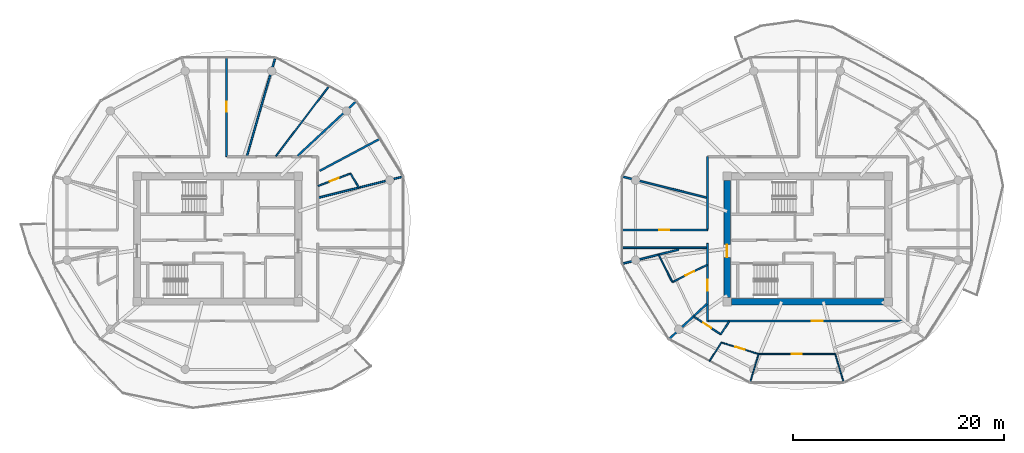
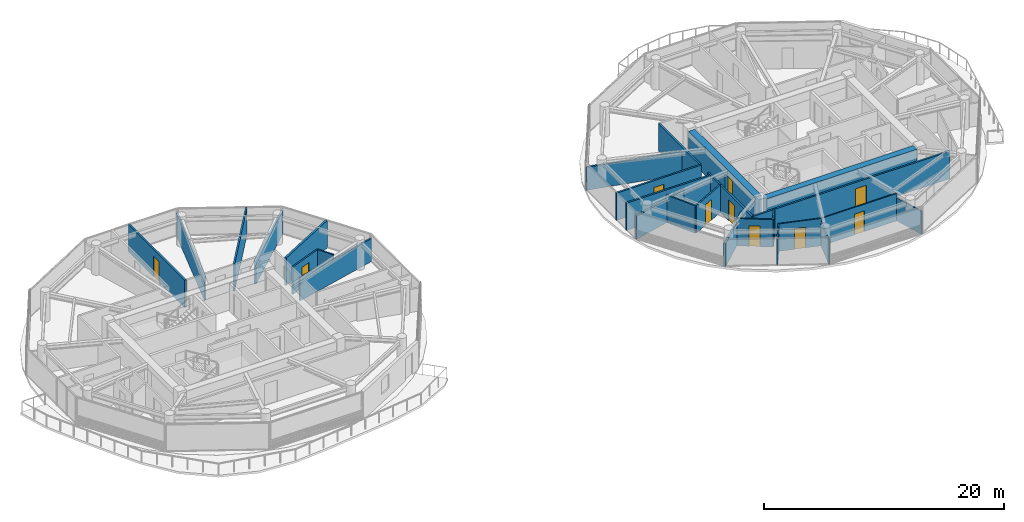
# One storey, part 14 of 23: 27 walls, 10 doors, 10 openings.
"""IFC4 building model written with IfcOpenShell, lengths in metres."""

from ifc_helpers import new_model, si_unit, direction, frame, frame_2d, origin, place, context, subcontext, project, spatial, rectangle, extrude, source, transform, mapped, material, layer, layer_set, type_object, type_shapes, element, fill, save


model = new_model("IFC4")

# Units and contexts
model_context = context("Model", 3, precision=1e-05, world=origin(), true_north=direction((0.0, 1.0)))
body_context = subcontext(model_context, "Body", "Model", "MODEL_VIEW")
ifc_project = project(units=[si_unit("LENGTHUNIT", "METRE"), si_unit("AREAUNIT", "SQUARE_METRE"), si_unit("VOLUMEUNIT", "CUBIC_METRE"), si_unit("PLANEANGLEUNIT", "RADIAN"), si_unit("MASSUNIT", "GRAM", prefix="KILO")], contexts=[model_context])

# Site, building, storey
site_placement = place(None, origin())
site = spatial("IfcSite", under=ifc_project, at=site_placement, CompositionType="ELEMENT")
building_placement = place(site_placement, origin())
building = spatial("IfcBuilding", under=site, at=building_placement, Name="Norrkilde Senior Care Towers", CompositionType="ELEMENT")
storey_placement = place(building_placement, frame((0.0, 0.0, 173.949951171875)))
storey = spatial("IfcBuildingStorey", under=building, at=storey_placement, Name="L54", CompositionType="ELEMENT", Elevation=173.949951171875)

# Wall
ifc_material_1 = material(Name="Concrete C50/60", Category="concrete")
ifc_layer_1 = layer(ifc_material_1, 0.6201171875)
ifc_layer_set_1 = layer_set([ifc_layer_1], Name="Concrete C50/60")
wall_type_1 = type_object("IfcWallType", Name="Core Shear Wall Z3 620", PredefinedType="SHEAR", material=ifc_layer_set_1)
shared_shape_1 = source(origin(), body_context, "Body", "SweptSolid", [
    extrude(rectangle(XDim=14.5, YDim=0.6201171875, at=frame_2d((7.25, 0.0))), origin(), (0.0, 0.0, 1.0), 2.81005859375),
])
wall_1_placement = place(storey_placement, frame((35.25, -5.949951171875, 0.0), z_axis=(0.0, 0.0, 1.0), x_axis=(-1.0, 0.0, 0.0)))
element("IfcWall", 1, at=wall_1_placement, inside=storey, type_object=wall_type_1, Name="L54 Core E South Shear Wall", PredefinedType="SHEAR", context=body_context, shape_type="MappedRepresentation", body=[
    mapped(shared_shape_1, transform((0.0, 0.0, 0.0), x_axis=(1.0, 0.0, 0.0), y_axis=(0.0, 1.0, 0.0), z_axis=(0.0, 0.0, 1.0), scale=1.0)),
])

# Wall, opening, door
shared_shape_2 = source(origin(), body_context, "Body", "SweptSolid", [
    extrude(rectangle(XDim=11.10009765625, YDim=0.6201171875, at=frame_2d((5.550048828125, 0.0))), origin(), (0.0, 0.0, 1.0), 2.81005859375),
])
type_shapes(wall_type_1, [shared_shape_1, shared_shape_2])
wall_2_placement = place(storey_placement, frame((20.35009765625, -5.550048828125, 0.0), z_axis=(0.0, 0.0, 1.0), x_axis=(0.0, 1.0, 0.0)))
wall_2 = element("IfcWall", 2, at=wall_2_placement, inside=storey, type_object=wall_type_1, Name="L54 Core E West Shear Wall", PredefinedType="SHEAR", context=body_context, shape_type="MappedRepresentation", body=[
    mapped(shared_shape_2, transform((0.0, 0.0, 0.0), x_axis=(1.0, 0.0, 0.0), y_axis=(0.0, 1.0, 0.0), z_axis=(0.0, 0.0, 1.0), scale=1.0)),
])
opening_1_placement = place(wall_2_placement, frame((3.800048828125, 0.0, 0.0)))
opening_1 = element("IfcOpeningElement", 3, at=opening_1_placement, cuts=wall_2, Name="Opening D-04", PredefinedType="OPENING", context=body_context, shape_type="SweptSolid", body=[
    extrude(rectangle(XDim=1.199951171875, YDim=2.14990234375, at=frame_2d((0.60009765625, 1.074951171875))), frame((0.0, 0.320068359375, 0.0), z_axis=(0.0, -1.0, 0.0), x_axis=(1.0, 0.0, 0.0)), (0.0, 0.0, 1.0), 0.64013671875),
])
ifc_material_2 = material(Name="Galvanised Painted Steel", Category="steel")
door_type_1 = type_object("IfcDoorType", Name="Firefighting Lobby Fire Door 1200x2150", OperationType="NOTDEFINED", PredefinedType="DOOR", material=ifc_material_2)
shared_shape_3 = source(origin(), body_context, "Body", "SweptSolid", [
    extrude(rectangle(XDim=1.199951171875, YDim=2.14990234375, at=frame_2d((0.60009765625, 1.074951171875))), frame((0.0, 0.02490234375, 0.0), z_axis=(0.0, -1.0, 0.0), x_axis=(1.0, 0.0, 0.0)), (0.0, 0.0, 1.0), 0.050048828125),
])
type_shapes(door_type_1, [shared_shape_3])
door_1_placement = place(opening_1_placement, frame((1.199951171875, 0.0, 0.0), z_axis=(0.0, 0.0, 1.0), x_axis=(-1.0, 0.0, 0.0)))
door_1 = element("IfcDoor", 4, at=door_1_placement, inside=storey, type_object=door_type_1, Name="L54 Core E West Portal Door", OperationType="SINGLE_SWING_LEFT", OverallHeight=2.14990234375, OverallWidth=1.199951171875, PredefinedType="DOOR", context=body_context, shape_type="MappedRepresentation", body=[
    mapped(shared_shape_3, transform((0.0, 0.0, 0.0), x_axis=(1.0, 0.0, 0.0), y_axis=(0.0, 1.0, 0.0), z_axis=(0.0, 0.0, 1.0), scale=1.0)),
])
fill(opening_1, door_1)

# Walls
ifc_material_3 = material(Name="Gypsum Acoustic Board")
ifc_layer_2 = layer(ifc_material_3, 0.1650390625)
ifc_layer_set_2 = layer_set([ifc_layer_2], Name="Gypsum Acoustic Board")
wall_type_2 = type_object("IfcWallType", Name="Corridor Rated Partition 165", PredefinedType="PARTITIONING", material=ifc_layer_set_2)
shared_shape_4 = source(origin(), body_context, "Body", "SweptSolid", [
    extrude(rectangle(XDim=9.73046875, YDim=0.1650390625, at=frame_2d((4.865234375, 0.0))), origin(), (0.0, 0.0, 1.0), 2.344970703125),
])
wall_3_placement = place(storey_placement, frame((-25.216552734375, 7.8798828125, 0.0), z_axis=(0.0, 0.0, 1.0), x_axis=(0.27679492614, 0.960929013436, 0.0)))
element("IfcWall", 5, at=wall_3_placement, inside=storey, type_object=wall_type_2, Name="WL-INT-L54-W-DEM-02-0", PredefinedType="PARTITIONING", context=body_context, shape_type="MappedRepresentation", body=[
    mapped(shared_shape_4, transform((0.0, 0.0, 0.0), x_axis=(1.0, 0.0, 0.0), y_axis=(0.0, 1.0, 0.0), z_axis=(0.0, 0.0, 1.0), scale=1.0)),
])
ifc_layer_3 = layer(ifc_material_3, 0.18994140625)
ifc_layer_set_3 = layer_set([ifc_layer_3], Name="Gypsum Acoustic Board")
wall_type_3 = type_object("IfcWallType", Name="Unit Demising Acoustic Wall 190", PredefinedType="PARTITIONING", material=ifc_layer_set_3)
shared_shape_5 = source(origin(), body_context, "Body", "SweptSolid", [
    extrude(rectangle(XDim=7.648193359375, YDim=0.18994140625, at=frame_2d((3.82421875, 0.0))), origin(), (0.0, 0.0, 1.0), 2.344970703125),
])
wall_4_placement = place(storey_placement, frame((-20.41259765625, 7.8798828125, 0.0), z_axis=(0.0, 0.0, 1.0), x_axis=(0.732182665826, 0.681108320213, 0.0)))
element("IfcWall", 6, at=wall_4_placement, inside=storey, type_object=wall_type_3, Name="WL-INT-L54-W-DEM-01-0", PredefinedType="PARTITIONING", context=body_context, shape_type="MappedRepresentation", body=[
    mapped(shared_shape_5, transform((0.0, 0.0, 0.0), x_axis=(1.0, 0.0, 0.0), y_axis=(0.0, 1.0, 0.0), z_axis=(0.0, 0.0, 1.0), scale=1.0)),
])
shared_shape_6 = source(origin(), body_context, "Body", "SweptSolid", [
    extrude(rectangle(XDim=6.4990234375, YDim=0.18994140625, at=frame_2d((3.24951171875, 0.0))), origin(), (0.0, 0.0, 1.0), 2.795166015625),
])
wall_5_placement = place(storey_placement, frame((-18.32373046875, 6.44873046875, 0.0), z_axis=(0.0, 0.0, 1.0), x_axis=(0.882715595921, 0.469907625729, 0.0)))
element("IfcWall", 7, at=wall_5_placement, inside=storey, type_object=wall_type_3, Name="WL-INT-L54-W-CMID-00", PredefinedType="PARTITIONING", context=body_context, shape_type="MappedRepresentation", body=[
    mapped(shared_shape_6, transform((0.0, 0.0, 0.0), x_axis=(1.0, 0.0, 0.0), y_axis=(0.0, 1.0, 0.0), z_axis=(0.0, 0.0, 1.0), scale=1.0)),
])

# Wall, opening, door
ifc_layer_4 = layer(ifc_material_3, 0.139892578125)
ifc_layer_set_4 = layer_set([ifc_layer_4], Name="Gypsum Acoustic Board")
wall_type_4 = type_object("IfcWallType", Name="En-suite Wet Room Wall 140", PredefinedType="PARTITIONING", material=ifc_layer_set_4)
shared_shape_7 = source(origin(), body_context, "Body", "SweptSolid", [
    extrude(rectangle(XDim=3.295166015625, YDim=0.139892578125, at=frame_2d((1.6474609375, 0.0))), origin(), (0.0, 0.0, 1.0), 2.795166015625),
])
wall_6_placement = place(storey_placement, frame((-18.469970703125, 5.022705078125, 0.0), z_axis=(0.0, 0.0, 1.0), x_axis=(0.934202224769, 0.356743890258, 0.0)))
wall_6 = element("IfcWall", 8, at=wall_6_placement, inside=storey, type_object=wall_type_4, Name="WL-INT-L54-W-ES-00A", PredefinedType="PARTITIONING", context=body_context, shape_type="MappedRepresentation", body=[
    mapped(shared_shape_7, transform((0.0, 0.0, 0.0), x_axis=(1.0, 0.0, 0.0), y_axis=(0.0, 1.0, 0.0), z_axis=(0.0, 0.0, 1.0), scale=1.0)),
])
opening_2_placement = place(wall_6_placement, frame((1.1875, 0.0, 0.0)))
opening_2 = element("IfcOpeningElement", 9, at=opening_2_placement, cuts=wall_6, Name="Opening D-08", PredefinedType="OPENING", context=body_context, shape_type="SweptSolid", body=[
    extrude(rectangle(XDim=0.919921875, YDim=2.10009765625, at=frame_2d((0.4599609375, 1.050048828125))), frame((0.0, 0.079833984375, 0.0), z_axis=(0.0, -1.0, 0.0), x_axis=(1.0, 0.0, 0.0)), (0.0, 0.0, 1.0), 0.159912109375),
])
ifc_material_4 = material(Name="Nordic Ash Timber", Category="wood")
door_type_2 = type_object("IfcDoorType", Name="Accessible Wet Room Door 920x2100", OperationType="NOTDEFINED", PredefinedType="DOOR", material=ifc_material_4)
shared_shape_8 = source(origin(), body_context, "Body", "SweptSolid", [
    extrude(rectangle(XDim=0.919921875, YDim=2.10009765625, at=frame_2d((0.4599609375, 1.050048828125))), frame((0.0, 0.02490234375, 0.0), z_axis=(0.0, -1.0, 0.0), x_axis=(1.0, 0.0, 0.0)), (0.0, 0.0, 1.0), 0.050048828125),
])
type_shapes(door_type_2, [shared_shape_8])
door_2_placement = place(opening_2_placement, origin())
door_2 = element("IfcDoor", 10, at=door_2_placement, inside=storey, type_object=door_type_2, Name="L54 Care Suite 5400A Bathroom Door", OperationType="SINGLE_SWING_RIGHT", OverallHeight=2.10009765625, OverallWidth=0.919921875, PredefinedType="DOOR", context=body_context, shape_type="MappedRepresentation", body=[
    mapped(shared_shape_8, transform((0.0, 0.0, 0.0), x_axis=(1.0, 0.0, 0.0), y_axis=(0.0, 1.0, 0.0), z_axis=(0.0, 0.0, 1.0), scale=1.0)),
])
fill(opening_2, door_2)

# Wall
shared_shape_9 = source(origin(), body_context, "Body", "SweptSolid", [
    extrude(rectangle(XDim=4.926513671875, YDim=0.18994140625, at=frame_2d((2.46337890625, 0.0))), origin(), (0.0, 0.0, 1.0), 2.344970703125),
])
type_shapes(wall_type_3, [shared_shape_5, shared_shape_6, shared_shape_9])
wall_7_placement = place(storey_placement, frame((18.419921875, -6.182861328125, 0.0), z_axis=(0.0, 0.0, 1.0), x_axis=(-0.732191335987, -0.681098999783, 0.0)))
element("IfcWall", 11, at=wall_7_placement, inside=storey, type_object=wall_type_3, Name="WL-INT-L54-E-DEM-07-0", PredefinedType="PARTITIONING", context=body_context, shape_type="MappedRepresentation", body=[
    mapped(shared_shape_9, transform((0.0, 0.0, 0.0), x_axis=(1.0, 0.0, 0.0), y_axis=(0.0, 1.0, 0.0), z_axis=(0.0, 0.0, 1.0), scale=1.0)),
])

# Wall, opening, door
shared_shape_10 = source(origin(), body_context, "Body", "SweptSolid", [
    extrude(rectangle(XDim=3.706787109375, YDim=0.139892578125, at=frame_2d((1.853515625, 0.0))), origin(), (0.0, 0.0, 1.0), 2.795166015625),
])
wall_8_placement = place(storey_placement, frame((18.469970703125, -2.455810546875, 0.0), z_axis=(0.0, 0.0, 1.0), x_axis=(-0.895347377717, -0.44536846904, 0.0)))
wall_8 = element("IfcWall", 12, at=wall_8_placement, inside=storey, type_object=wall_type_4, Name="WL-INT-L54-E-ES-06", PredefinedType="PARTITIONING", context=body_context, shape_type="MappedRepresentation", body=[
    mapped(shared_shape_10, transform((0.0, 0.0, 0.0), x_axis=(1.0, 0.0, 0.0), y_axis=(0.0, 1.0, 0.0), z_axis=(0.0, 0.0, 1.0), scale=1.0)),
])
opening_3_placement = place(wall_8_placement, frame((1.3935546875, 0.0, 0.0)))
opening_3 = element("IfcOpeningElement", 13, at=opening_3_placement, cuts=wall_8, Name="Opening D-08", PredefinedType="OPENING", context=body_context, shape_type="SweptSolid", body=[
    extrude(rectangle(XDim=0.919921875, YDim=2.10009765625, at=frame_2d((0.4599609375, 1.050048828125))), frame((0.0, 0.079833984375, 0.0), z_axis=(0.0, -1.0, 0.0), x_axis=(1.0, 0.0, 0.0)), (0.0, 0.0, 1.0), 0.159912109375),
])
door_3_placement = place(opening_3_placement, origin())
door_3 = element("IfcDoor", 14, at=door_3_placement, inside=storey, type_object=door_type_2, Name="L54 Studio 54C Bathroom Door", OperationType="SINGLE_SWING_RIGHT", OverallHeight=2.10009765625, OverallWidth=0.919921875, PredefinedType="DOOR", context=body_context, shape_type="MappedRepresentation", body=[
    mapped(shared_shape_8, transform((0.0, 0.0, 0.0), x_axis=(1.0, 0.0, 0.0), y_axis=(0.0, 1.0, 0.0), z_axis=(0.0, 0.0, 1.0), scale=1.0)),
])
fill(opening_3, door_3)

shared_shape_11 = source(origin(), body_context, "Body", "SweptSolid", [
    extrude(rectangle(XDim=19.0, YDim=0.1650390625, at=frame_2d((9.5, 0.0))), origin(), (0.0, 0.0, 1.0), 2.795166015625),
])
wall_9_placement = place(storey_placement, frame((37.5, -7.800048828125, 0.0), z_axis=(0.0, 0.0, 1.0), x_axis=(-1.0, 0.0, 0.0)))
wall_9 = element("IfcWall", 15, at=wall_9_placement, inside=storey, type_object=wall_type_2, Name="WL-INT-L54-E-CRW-S-0", PredefinedType="PARTITIONING", context=body_context, shape_type="MappedRepresentation", body=[
    mapped(shared_shape_11, transform((0.0, 0.0, 0.0), x_axis=(1.0, 0.0, 0.0), y_axis=(0.0, 1.0, 0.0), z_axis=(0.0, 0.0, 1.0), scale=1.0)),
])
opening_4_placement = place(wall_9_placement, frame((8.061279296875, 0.0, 0.0)))
opening_4 = element("IfcOpeningElement", 16, at=opening_4_placement, cuts=wall_9, Name="Opening D-06", PredefinedType="OPENING", context=body_context, shape_type="SweptSolid", body=[
    extrude(rectangle(XDim=1.050048828125, YDim=2.14990234375, at=frame_2d((0.52490234375, 1.074951171875))), frame((0.0, 0.092529296875, 0.0), z_axis=(0.0, -1.0, 0.0), x_axis=(1.0, 0.0, 0.0)), (0.0, 0.0, 1.0), 0.18505859375),
])
door_type_3 = type_object("IfcDoorType", Name="Apartment Entrance Fire Door 1050x2150", OperationType="NOTDEFINED", PredefinedType="DOOR", material=ifc_material_4)
shared_shape_12 = source(origin(), body_context, "Body", "SweptSolid", [
    extrude(rectangle(XDim=1.050048828125, YDim=2.14990234375, at=frame_2d((0.52490234375, 1.074951171875))), frame((0.0, 0.02490234375, 0.0), z_axis=(0.0, -1.0, 0.0), x_axis=(1.0, 0.0, 0.0)), (0.0, 0.0, 1.0), 0.050048828125),
])
type_shapes(door_type_3, [shared_shape_12])
door_4_placement = place(opening_4_placement, frame((1.050048828125, 0.0, 0.0), z_axis=(0.0, 0.0, 1.0), x_axis=(-1.0, 0.0, 0.0)))
door_4 = element("IfcDoor", 17, at=door_4_placement, inside=storey, type_object=door_type_3, Name="Apartment 54D Entrance Door", OperationType="SINGLE_SWING_RIGHT", OverallHeight=2.14990234375, OverallWidth=1.050048828125, PredefinedType="DOOR", context=body_context, shape_type="MappedRepresentation", body=[
    mapped(shared_shape_12, transform((0.0, 0.0, 0.0), x_axis=(1.0, 0.0, 0.0), y_axis=(0.0, 1.0, 0.0), z_axis=(0.0, 0.0, 1.0), scale=1.0)),
])
fill(opening_4, door_4)

# Wall
shared_shape_13 = source(origin(), body_context, "Body", "SweptSolid", [
    extrude(rectangle(XDim=6.880126953125, YDim=0.1650390625, at=frame_2d((3.43994140625, 0.0))), origin(), (0.0, 0.0, 1.0), 2.795166015625),
])
wall_10_placement = place(storey_placement, frame((18.5, 0.919921875, 0.0), z_axis=(0.0, 0.0, 1.0), x_axis=(0.0, 1.0, 0.0)))
element("IfcWall", 18, at=wall_10_placement, inside=storey, type_object=wall_type_2, Name="WL-INT-L54-E-CRW-W-1", PredefinedType="PARTITIONING", context=body_context, shape_type="MappedRepresentation", body=[
    mapped(shared_shape_13, transform((0.0, 0.0, 0.0), x_axis=(1.0, 0.0, 0.0), y_axis=(0.0, 1.0, 0.0), z_axis=(0.0, 0.0, 1.0), scale=1.0)),
])

# Wall, opening, door
shared_shape_14 = source(origin(), body_context, "Body", "SweptSolid", [
    extrude(rectangle(XDim=7.364501953125, YDim=0.1650390625, at=frame_2d((3.68212890625, 0.0))), origin(), (0.0, 0.0, 1.0), 2.795166015625),
])
wall_11_placement = place(storey_placement, frame((18.5, -7.800048828125, 0.0), z_axis=(0.0, 0.0, 1.0), x_axis=(0.0, 1.0, 0.0)))
wall_11 = element("IfcWall", 19, at=wall_11_placement, inside=storey, type_object=wall_type_2, Name="WL-INT-L54-E-CRW-W-0", PredefinedType="PARTITIONING", context=body_context, shape_type="MappedRepresentation", body=[
    mapped(shared_shape_14, transform((0.0, 0.0, 0.0), x_axis=(1.0, 0.0, 0.0), y_axis=(0.0, 1.0, 0.0), z_axis=(0.0, 0.0, 1.0), scale=1.0)),
])
opening_5_placement = place(wall_11_placement, frame((2.853515625, 0.0, 0.0)))
opening_5 = element("IfcOpeningElement", 20, at=opening_5_placement, cuts=wall_11, Name="Opening D-06", PredefinedType="OPENING", context=body_context, shape_type="SweptSolid", body=[
    extrude(rectangle(XDim=1.050048828125, YDim=2.14990234375, at=frame_2d((0.52490234375, 1.074951171875))), frame((0.0, 0.092529296875, 0.0), z_axis=(0.0, -1.0, 0.0), x_axis=(1.0, 0.0, 0.0)), (0.0, 0.0, 1.0), 0.18505859375),
])
door_5_placement = place(opening_5_placement, frame((1.050048828125, 0.0, 0.0), z_axis=(0.0, 0.0, 1.0), x_axis=(-1.0, 0.0, 0.0)))
door_5 = element("IfcDoor", 21, at=door_5_placement, inside=storey, type_object=door_type_3, Name="L54 Studio 54C Entrance Door", OperationType="SINGLE_SWING_LEFT", OverallHeight=2.14990234375, OverallWidth=1.050048828125, PredefinedType="DOOR", context=body_context, shape_type="MappedRepresentation", body=[
    mapped(shared_shape_12, transform((0.0, 0.0, 0.0), x_axis=(1.0, 0.0, 0.0), y_axis=(0.0, 1.0, 0.0), z_axis=(0.0, 0.0, 1.0), scale=1.0)),
])
fill(opening_5, door_5)

# Walls
shared_shape_15 = source(origin(), body_context, "Body", "SweptSolid", [
    extrude(rectangle(XDim=5.564453125, YDim=0.1650390625, at=frame_2d((2.7822265625, 0.0))), origin(), (0.0, 0.0, 1.0), 2.344970703125),
])
wall_12_placement = place(storey_placement, frame((15.76025390625, -1.02001953125, 0.0), z_axis=(0.0, 0.0, 1.0), x_axis=(-0.970315176167, -0.241843872984, 0.0)))
element("IfcWall", 22, at=wall_12_placement, inside=storey, type_object=wall_type_2, Name="WL-INT-L54-E-DEM-06-0", PredefinedType="PARTITIONING", context=body_context, shape_type="MappedRepresentation", body=[
    mapped(shared_shape_15, transform((0.0, 0.0, 0.0), x_axis=(1.0, 0.0, 0.0), y_axis=(0.0, 1.0, 0.0), z_axis=(0.0, 0.0, 1.0), scale=1.0)),
])
shared_shape_16 = source(origin(), body_context, "Body", "SweptSolid", [
    extrude(rectangle(XDim=8.305419921875, YDim=0.1650390625, at=frame_2d((4.15283203125, 0.0))), origin(), (0.0, 0.0, 1.0), 2.344970703125),
])
for number, where, z_axis, x_axis, name in (
    (23, (-18.419921875, 3.90771484375, 0.0), (0.0, 0.0, 1.0), (0.970309994378, 0.241864662175, 0.0), "WL-INT-L54-W-DEM-00-0"),
    (24, (18.419921875, 3.90771484375, 0.0), (0.0, 0.0, 1.0), (-0.970309994378, 0.241864662175, 0.0), "WL-INT-L54-E-DEM-05-0"),
):
    element("IfcWall", number, at=place(storey_placement, frame(where, z_axis=z_axis, x_axis=x_axis)), inside=storey, type_object=wall_type_2, Name=name, PredefinedType="PARTITIONING", context=body_context, shape_type="MappedRepresentation", body=[
        mapped(shared_shape_16, transform((0.0, 0.0, 0.0), x_axis=(1.0, 0.0, 0.0), y_axis=(0.0, 1.0, 0.0), z_axis=(0.0, 0.0, 1.0), scale=1.0)),
    ])

# Wall, opening, door
shared_shape_17 = source(origin(), body_context, "Body", "SweptSolid", [
    extrude(rectangle(XDim=9.480224609375, YDim=0.1650390625, at=frame_2d((4.740234375, 0.0))), origin(), (0.0, 0.0, 1.0), 2.795166015625),
])
wall_13_placement = place(storey_placement, frame((-27.159912109375, 17.2802734375, 0.0), z_axis=(0.0, 0.0, 1.0), x_axis=(0.0, -1.0, 0.0)))
wall_13 = element("IfcWall", 25, at=wall_13_placement, inside=storey, type_object=wall_type_2, Name="WL-INT-L54-W-SPK-N2-0", PredefinedType="PARTITIONING", context=body_context, shape_type="MappedRepresentation", body=[
    mapped(shared_shape_17, transform((0.0, 0.0, 0.0), x_axis=(1.0, 0.0, 0.0), y_axis=(0.0, 1.0, 0.0), z_axis=(0.0, 0.0, 1.0), scale=1.0)),
])
opening_6_placement = place(wall_13_placement, frame((4.26513671875, 0.0, 0.0)))
opening_6 = element("IfcOpeningElement", 26, at=opening_6_placement, cuts=wall_13, Name="Opening D-07", PredefinedType="OPENING", context=body_context, shape_type="SweptSolid", body=[
    extrude(rectangle(XDim=0.949951171875, YDim=2.10009765625, at=frame_2d((0.47509765625, 1.050048828125))), frame((0.0, 0.092529296875, 0.0), z_axis=(0.0, -1.0, 0.0), x_axis=(1.0, 0.0, 0.0)), (0.0, 0.0, 1.0), 0.18505859375),
])
door_type_4 = type_object("IfcDoorType", Name="Internal Suite Bedroom Door 950x2100", OperationType="NOTDEFINED", PredefinedType="DOOR", material=ifc_material_4)
shared_shape_18 = source(origin(), body_context, "Body", "SweptSolid", [
    extrude(rectangle(XDim=0.949951171875, YDim=2.10009765625, at=frame_2d((0.47509765625, 1.050048828125))), frame((0.0, 0.02490234375, 0.0), z_axis=(0.0, -1.0, 0.0), x_axis=(1.0, 0.0, 0.0)), (0.0, 0.0, 1.0), 0.050048828125),
])
type_shapes(door_type_4, [shared_shape_18])
door_6_placement = place(opening_6_placement, frame((0.949951171875, 0.0, 0.0), z_axis=(0.0, 0.0, 1.0), x_axis=(-1.0, 0.0, 0.0)))
door_6 = element("IfcDoor", 27, at=door_6_placement, inside=storey, type_object=door_type_4, Name="L54 Sun Reading Lounge 4 Door", OperationType="SINGLE_SWING_LEFT", OverallHeight=2.10009765625, OverallWidth=0.949951171875, PredefinedType="DOOR", context=body_context, shape_type="MappedRepresentation", body=[
    mapped(shared_shape_18, transform((0.0, 0.0, 0.0), x_axis=(1.0, 0.0, 0.0), y_axis=(0.0, 1.0, 0.0), z_axis=(0.0, 0.0, 1.0), scale=1.0)),
])
fill(opening_6, door_6)

shared_shape_19 = source(origin(), body_context, "Body", "SweptSolid", [
    extrude(rectangle(XDim=8.18896484375, YDim=0.1650390625, at=frame_2d((4.094482421875, 0.0))), origin(), (0.0, 0.0, 1.0), 2.795166015625),
])
type_shapes(wall_type_2, [shared_shape_4, shared_shape_11, shared_shape_13, shared_shape_14, shared_shape_15, shared_shape_16, shared_shape_17, shared_shape_19])
wall_14_placement = place(storey_placement, frame((10.31103515625, 0.840087890625, 0.0), z_axis=(0.0, 0.0, 1.0), x_axis=(1.0, 0.0, 0.0)))
wall_14 = element("IfcWall", 28, at=wall_14_placement, inside=storey, type_object=wall_type_2, Name="WL-INT-L54-E-SPK-W1-0", PredefinedType="PARTITIONING", context=body_context, shape_type="MappedRepresentation", body=[
    mapped(shared_shape_19, transform((0.0, 0.0, 0.0), x_axis=(1.0, 0.0, 0.0), y_axis=(0.0, 1.0, 0.0), z_axis=(0.0, 0.0, 1.0), scale=1.0)),
])
opening_7_placement = place(wall_14_placement, frame((3.619384765625, 0.0, 0.0)))
opening_7 = element("IfcOpeningElement", 29, at=opening_7_placement, cuts=wall_14, Name="Opening D-07", PredefinedType="OPENING", context=body_context, shape_type="SweptSolid", body=[
    extrude(rectangle(XDim=0.949951171875, YDim=2.10009765625, at=frame_2d((0.47509765625, 1.050048828125))), frame((0.0, 0.092529296875, 0.0), z_axis=(0.0, -1.0, 0.0), x_axis=(1.0, 0.0, 0.0)), (0.0, 0.0, 1.0), 0.18505859375),
])
door_7_placement = place(opening_7_placement, frame((0.949951171875, 0.0, 0.0), z_axis=(0.0, 0.0, 1.0), x_axis=(-1.0, 0.0, 0.0)))
door_7 = element("IfcDoor", 30, at=door_7_placement, inside=storey, type_object=door_type_4, Name="L54 Sun Reading Lounge 2 Door", OperationType="SINGLE_SWING_LEFT", OverallHeight=2.10009765625, OverallWidth=0.949951171875, PredefinedType="DOOR", context=body_context, shape_type="MappedRepresentation", body=[
    mapped(shared_shape_18, transform((0.0, 0.0, 0.0), x_axis=(1.0, 0.0, 0.0), y_axis=(0.0, 1.0, 0.0), z_axis=(0.0, 0.0, 1.0), scale=1.0)),
])
fill(opening_7, door_7)

# Walls
wall_15_placement = place(storey_placement, frame((18.5, -0.840087890625, 0.0), z_axis=(0.0, 0.0, 1.0), x_axis=(-1.0, 0.0, 0.0)))
element("IfcWall", 31, at=wall_15_placement, inside=storey, type_object=wall_type_2, Name="WL-INT-L54-E-SPK-W2-0", PredefinedType="PARTITIONING", context=body_context, shape_type="MappedRepresentation", body=[
    mapped(shared_shape_19, transform((0.0, 0.0, 0.0), x_axis=(1.0, 0.0, 0.0), y_axis=(0.0, 1.0, 0.0), z_axis=(0.0, 0.0, 1.0), scale=1.0)),
])
ifc_layer_5 = layer(ifc_material_3, 0.114990234375)
ifc_layer_set_5 = layer_set([ifc_layer_5], Name="Gypsum Acoustic Board")
wall_type_5 = type_object("IfcWallType", Name="Internal Room Partition 115", PredefinedType="PARTITIONING", material=ifc_layer_set_5)
shared_shape_20 = source(origin(), body_context, "Body", "SweptSolid", [
    extrude(rectangle(XDim=2.873779296875, YDim=0.114990234375, at=frame_2d((1.43701171875, 0.0))), origin(), (0.0, 0.0, 1.0), 2.344970703125),
])
wall_16_placement = place(storey_placement, frame((23.338134765625, -10.923583984375, 0.0), z_axis=(0.0, 0.0, 1.0), x_axis=(-0.283573427988, -0.958950525804, 0.0)))
element("IfcWall", 32, at=wall_16_placement, inside=storey, type_object=wall_type_5, Name="WL-INT-L54-E-UBR-07-1", PredefinedType="PARTITIONING", context=body_context, shape_type="MappedRepresentation", body=[
    mapped(shared_shape_20, transform((0.0, 0.0, 0.0), x_axis=(1.0, 0.0, 0.0), y_axis=(0.0, 1.0, 0.0), z_axis=(0.0, 0.0, 1.0), scale=1.0)),
])
shared_shape_21 = source(origin(), body_context, "Body", "SweptSolid", [
    extrude(rectangle(XDim=2.870849609375, YDim=0.114990234375, at=frame_2d((1.435546875, 0.0))), origin(), (0.0, 0.0, 1.0), 2.344970703125),
])
wall_17_placement = place(storey_placement, frame((30.612548828125, -10.926513671875, 0.0), z_axis=(0.0, 0.0, 1.0), x_axis=(0.283616326168, -0.958937839242, 0.0)))
element("IfcWall", 33, at=wall_17_placement, inside=storey, type_object=wall_type_5, Name="WL-INT-L54-E-UBR-07-2", PredefinedType="PARTITIONING", context=body_context, shape_type="MappedRepresentation", body=[
    mapped(shared_shape_21, transform((0.0, 0.0, 0.0), x_axis=(1.0, 0.0, 0.0), y_axis=(0.0, 1.0, 0.0), z_axis=(0.0, 0.0, 1.0), scale=1.0)),
])
shared_shape_22 = source(origin(), body_context, "Body", "SweptSolid", [
    extrude(rectangle(XDim=1.558349609375, YDim=0.139892578125, at=frame_2d((0.779296875, 0.0))), origin(), (0.0, 0.0, 1.0), 2.795166015625),
])
wall_18_placement = place(storey_placement, frame((-15.3916015625, 6.1982421875, 0.0), z_axis=(0.0, 0.0, 1.0), x_axis=(0.513735221728, -0.85794878749, 0.0)))
element("IfcWall", 34, at=wall_18_placement, inside=storey, type_object=wall_type_4, Name="WL-INT-L54-W-EF-00A", PredefinedType="PARTITIONING", context=body_context, shape_type="MappedRepresentation", body=[
    mapped(shared_shape_22, transform((0.0, 0.0, 0.0), x_axis=(1.0, 0.0, 0.0), y_axis=(0.0, 1.0, 0.0), z_axis=(0.0, 0.0, 1.0), scale=1.0)),
])
shared_shape_23 = source(origin(), body_context, "Body", "SweptSolid", [
    extrude(rectangle(XDim=8.359375, YDim=0.139892578125, at=frame_2d((4.1796875, 0.0))), origin(), (0.0, 0.0, 1.0), 2.795166015625),
])
wall_19_placement = place(storey_placement, frame((-22.477294921875, 7.830078125, 0.0), z_axis=(0.0, 0.0, 1.0), x_axis=(0.603265985309, 0.797540062297, 0.0)))
element("IfcWall", 35, at=wall_19_placement, inside=storey, type_object=wall_type_4, Name="WL-INT-L54-W-MID-01", PredefinedType="PARTITIONING", context=body_context, shape_type="MappedRepresentation", body=[
    mapped(shared_shape_23, transform((0.0, 0.0, 0.0), x_axis=(1.0, 0.0, 0.0), y_axis=(0.0, 1.0, 0.0), z_axis=(0.0, 0.0, 1.0), scale=1.0)),
])
shared_shape_24 = source(origin(), body_context, "Body", "SweptSolid", [
    extrude(rectangle(XDim=2.91845703125, YDim=0.139892578125, at=frame_2d((1.459228515625, 0.0))), origin(), (0.0, 0.0, 1.0), 2.795166015625),
])
wall_20_placement = place(storey_placement, frame((15.151123046875, -4.106689453125, 0.0), z_axis=(0.0, 0.0, 1.0), x_axis=(-0.447146668647, 0.894460651296, 0.0)))
element("IfcWall", 36, at=wall_20_placement, inside=storey, type_object=wall_type_4, Name="WL-INT-L54-E-EF-06", PredefinedType="PARTITIONING", context=body_context, shape_type="MappedRepresentation", body=[
    mapped(shared_shape_24, transform((0.0, 0.0, 0.0), x_axis=(1.0, 0.0, 0.0), y_axis=(0.0, 1.0, 0.0), z_axis=(0.0, 0.0, 1.0), scale=1.0)),
])

# Wall, opening, door
shared_shape_25 = source(origin(), body_context, "Body", "SweptSolid", [
    extrude(rectangle(XDim=7.273681640625, YDim=0.114990234375, at=frame_2d((3.63671875, 0.0))), origin(), (0.0, 0.0, 1.0), 2.795166015625),
])
wall_21_placement = place(storey_placement, frame((23.338134765625, -10.923583984375, 0.0), z_axis=(0.0, 0.0, 1.0), x_axis=(1.0, 0.0, 0.0)))
wall_21 = element("IfcWall", 37, at=wall_21_placement, inside=storey, type_object=wall_type_5, Name="WL-INT-L54-E-UBC-07-1", PredefinedType="PARTITIONING", context=body_context, shape_type="MappedRepresentation", body=[
    mapped(shared_shape_25, transform((0.0, 0.0, 0.0), x_axis=(1.0, 0.0, 0.0), y_axis=(0.0, 1.0, 0.0), z_axis=(0.0, 0.0, 1.0), scale=1.0)),
])
opening_8_placement = place(wall_21_placement, frame((3.161865234375, 0.0, 0.0)))
opening_8 = element("IfcOpeningElement", 38, at=opening_8_placement, cuts=wall_21, Name="Opening D-07", PredefinedType="OPENING", context=body_context, shape_type="SweptSolid", body=[
    extrude(rectangle(XDim=0.949951171875, YDim=2.10009765625, at=frame_2d((0.47509765625, 1.050048828125))), frame((0.0, 0.0673828125, 0.0), z_axis=(0.0, -1.0, 0.0), x_axis=(1.0, 0.0, 0.0)), (0.0, 0.0, 1.0), 0.135009765625),
])
door_8_placement = place(opening_8_placement, origin())
door_8 = element("IfcDoor", 39, at=door_8_placement, inside=storey, type_object=door_type_4, Name="Apartment 54D Bedroom 1 Door", OperationType="SINGLE_SWING_LEFT", OverallHeight=2.10009765625, OverallWidth=0.949951171875, PredefinedType="DOOR", context=body_context, shape_type="MappedRepresentation", body=[
    mapped(shared_shape_18, transform((0.0, 0.0, 0.0), x_axis=(1.0, 0.0, 0.0), y_axis=(0.0, 1.0, 0.0), z_axis=(0.0, 0.0, 1.0), scale=1.0)),
])
fill(opening_8, door_8)

# Wall
shared_shape_26 = source(origin(), body_context, "Body", "SweptSolid", [
    extrude(rectangle(XDim=1.482421875, YDim=0.139892578125, at=frame_2d((0.7412109375, 0.0))), origin(), (0.0, 0.0, 1.0), 2.795166015625),
])
wall_22_placement = place(storey_placement, frame((20.559814453125, -7.830078125, 0.0), z_axis=(0.0, 0.0, 1.0), x_axis=(-0.555308105158, -0.831644700786, 0.0)))
element("IfcWall", 40, at=wall_22_placement, inside=storey, type_object=wall_type_4, Name="WL-INT-L54-E-UBTS-07", PredefinedType="PARTITIONING", context=body_context, shape_type="MappedRepresentation", body=[
    mapped(shared_shape_26, transform((0.0, 0.0, 0.0), x_axis=(1.0, 0.0, 0.0), y_axis=(0.0, 1.0, 0.0), z_axis=(0.0, 0.0, 1.0), scale=1.0)),
])

# Wall, opening, door
shared_shape_27 = source(origin(), body_context, "Body", "SweptSolid", [
    extrude(rectangle(XDim=3.05078125, YDim=0.139892578125, at=frame_2d((1.525390625, 0.0))), origin(), (0.0, 0.0, 1.0), 2.795166015625),
])
type_shapes(wall_type_4, [shared_shape_7, shared_shape_10, shared_shape_22, shared_shape_23, shared_shape_24, shared_shape_26, shared_shape_27])
wall_23_placement = place(storey_placement, frame((19.736572265625, -9.06298828125, 0.0), z_axis=(0.0, 0.0, 1.0), x_axis=(-0.832763694299, 0.553628602456, 0.0)))
wall_23 = element("IfcWall", 41, at=wall_23_placement, inside=storey, type_object=wall_type_4, Name="WL-INT-L54-E-UBTF-07", PredefinedType="PARTITIONING", context=body_context, shape_type="MappedRepresentation", body=[
    mapped(shared_shape_27, transform((0.0, 0.0, 0.0), x_axis=(1.0, 0.0, 0.0), y_axis=(0.0, 1.0, 0.0), z_axis=(0.0, 0.0, 1.0), scale=1.0)),
])
opening_9_placement = place(wall_23_placement, frame((1.065185546875, 0.0, 0.0)))
opening_9 = element("IfcOpeningElement", 42, at=opening_9_placement, cuts=wall_23, Name="Opening D-08", PredefinedType="OPENING", context=body_context, shape_type="SweptSolid", body=[
    extrude(rectangle(XDim=0.919921875, YDim=2.10009765625, at=frame_2d((0.4599609375, 1.050048828125))), frame((0.0, 0.079833984375, 0.0), z_axis=(0.0, -1.0, 0.0), x_axis=(1.0, 0.0, 0.0)), (0.0, 0.0, 1.0), 0.159912109375),
])
door_9_placement = place(opening_9_placement, origin())
door_9 = element("IfcDoor", 43, at=door_9_placement, inside=storey, type_object=door_type_2, Name="Apartment 54D Bathroom Door", OperationType="SINGLE_SWING_LEFT", OverallHeight=2.10009765625, OverallWidth=0.919921875, PredefinedType="DOOR", context=body_context, shape_type="MappedRepresentation", body=[
    mapped(shared_shape_8, transform((0.0, 0.0, 0.0), x_axis=(1.0, 0.0, 0.0), y_axis=(0.0, 1.0, 0.0), z_axis=(0.0, 0.0, 1.0), scale=1.0)),
])
fill(opening_9, door_9)

# Wall
shared_shape_28 = source(origin(), body_context, "Body", "SweptSolid", [
    extrude(rectangle(XDim=2.10498046875, YDim=0.114990234375, at=frame_2d((1.052490234375, 0.0))), origin(), (0.0, 0.0, 1.0), 2.795166015625),
])
wall_24_placement = place(storey_placement, frame((19.807861328125, -9.83935546875, 0.0), z_axis=(0.0, 0.0, 1.0), x_axis=(-0.541542884204, -0.840673125875, 0.0)))
element("IfcWall", 44, at=wall_24_placement, inside=storey, type_object=wall_type_5, Name="WL-INT-L54-E-UKTS-07", PredefinedType="PARTITIONING", context=body_context, shape_type="MappedRepresentation", body=[
    mapped(shared_shape_28, transform((0.0, 0.0, 0.0), x_axis=(1.0, 0.0, 0.0), y_axis=(0.0, 1.0, 0.0), z_axis=(0.0, 0.0, 1.0), scale=1.0)),
])

# Wall, opening, door
shared_shape_29 = source(origin(), body_context, "Body", "SweptSolid", [
    extrude(rectangle(XDim=3.693115234375, YDim=0.114990234375, at=frame_2d((1.8466796875, 0.0))), origin(), (0.0, 0.0, 1.0), 2.795166015625),
])
type_shapes(wall_type_5, [shared_shape_20, shared_shape_21, shared_shape_25, shared_shape_28, shared_shape_29])
wall_25_placement = place(storey_placement, frame((19.807861328125, -9.83935546875, 0.0), z_axis=(0.0, 0.0, 1.0), x_axis=(0.955691778506, -0.294369197599, 0.0)))
wall_25 = element("IfcWall", 45, at=wall_25_placement, inside=storey, type_object=wall_type_5, Name="WL-INT-L54-E-UKTF-07", PredefinedType="PARTITIONING", context=body_context, shape_type="MappedRepresentation", body=[
    mapped(shared_shape_29, transform((0.0, 0.0, 0.0), x_axis=(1.0, 0.0, 0.0), y_axis=(0.0, 1.0, 0.0), z_axis=(0.0, 0.0, 1.0), scale=1.0)),
])
opening_10_placement = place(wall_25_placement, frame((1.37158203125, 0.0, 0.0)))
opening_10 = element("IfcOpeningElement", 46, at=opening_10_placement, cuts=wall_25, Name="Opening D-07", PredefinedType="OPENING", context=body_context, shape_type="SweptSolid", body=[
    extrude(rectangle(XDim=0.949951171875, YDim=2.10009765625, at=frame_2d((0.47509765625, 1.050048828125))), frame((0.0, 0.0673828125, 0.0), z_axis=(0.0, -1.0, 0.0), x_axis=(1.0, 0.0, 0.0)), (0.0, 0.0, 1.0), 0.135009765625),
])
door_10_placement = place(opening_10_placement, frame((0.949951171875, 0.0, 0.0), z_axis=(0.0, 0.0, 1.0), x_axis=(-1.0, 0.0, 0.0)))
door_10 = element("IfcDoor", 47, at=door_10_placement, inside=storey, type_object=door_type_4, Name="Apartment 54D Kitchen Door", OperationType="SINGLE_SWING_RIGHT", OverallHeight=2.10009765625, OverallWidth=0.949951171875, PredefinedType="DOOR", context=body_context, shape_type="MappedRepresentation", body=[
    mapped(shared_shape_18, transform((0.0, 0.0, 0.0), x_axis=(1.0, 0.0, 0.0), y_axis=(0.0, 1.0, 0.0), z_axis=(0.0, 0.0, 1.0), scale=1.0)),
])
fill(opening_10, door_10)

save(model, "model.ifc")
